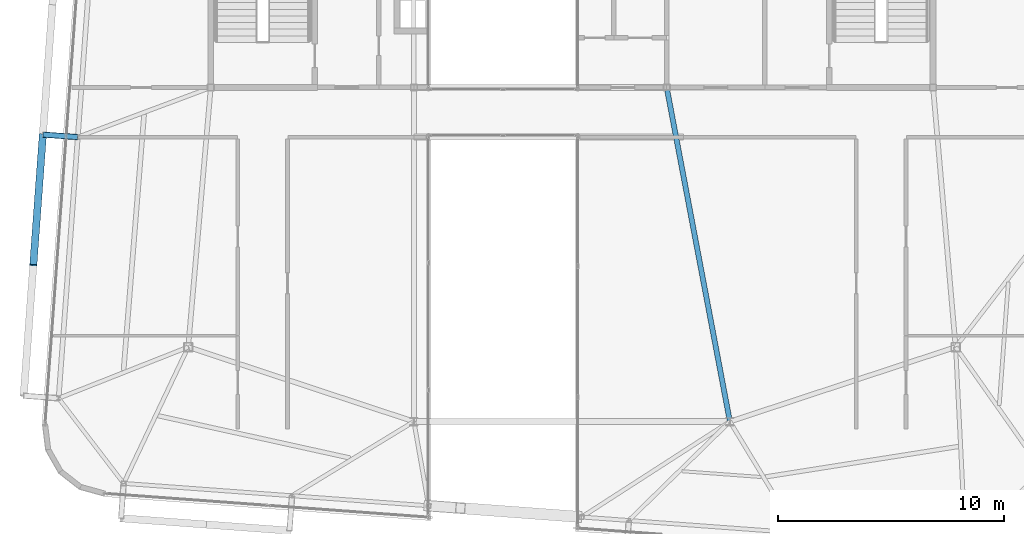
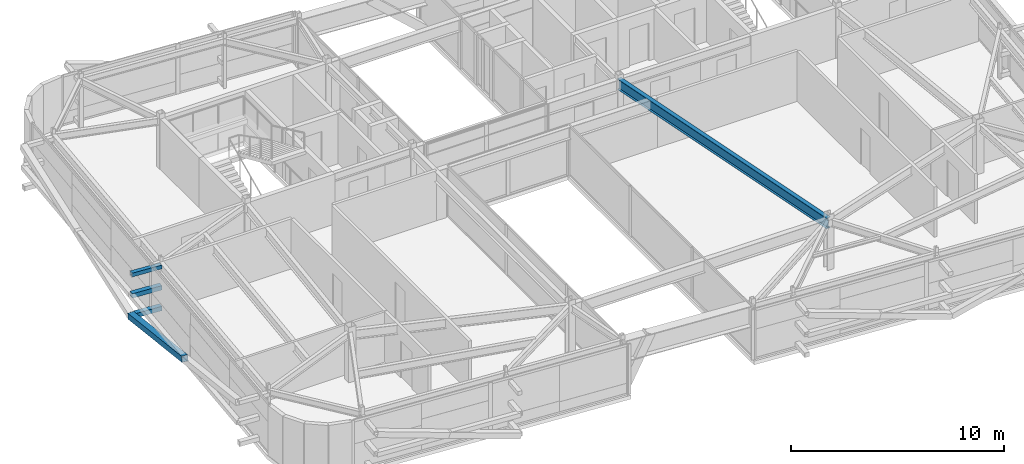
# One storey, part 14 of 40: 4 members, 1 beam.
"""IFC4 building model written with IfcOpenShell, lengths in metres."""

from ifc_helpers import new_model, si_unit, direction, frame, origin, origin_2d, place, context, subcontext, project, spatial, hollow_rectangle, i_section, extrude, source, transform, mapped, material, material_profile, profile_set, type_object, element, save


model = new_model("IFC4")

# Units and contexts
model_context = context("Model", 3, precision=1e-05, world=origin(), true_north=direction((0.0, 1.0)))
body_context = subcontext(model_context, "Body", "Model", "MODEL_VIEW")
ifc_project = project(units=[si_unit("LENGTHUNIT", "METRE"), si_unit("AREAUNIT", "SQUARE_METRE"), si_unit("VOLUMEUNIT", "CUBIC_METRE"), si_unit("PLANEANGLEUNIT", "RADIAN"), si_unit("MASSUNIT", "GRAM", prefix="KILO")], contexts=[model_context])

# Site, building, storey
site_placement = place(None, origin())
site = spatial("IfcSite", under=ifc_project, at=site_placement, CompositionType="ELEMENT")
building_placement = place(site_placement, origin())
building = spatial("IfcBuilding", under=site, at=building_placement, Name="Taldren Reach Tower", CompositionType="ELEMENT")
storey_placement = place(building_placement, frame((0.0, 0.0, 233.449951171875)))
storey = spatial("IfcBuildingStorey", under=building, at=storey_placement, Name="L71", CompositionType="ELEMENT", Elevation=233.449951171875)

# Beam
ifc_material_1 = material(Name="Steel Gr 350 (350PLUS)", Category="steel")
ifc_material_profile_1 = material_profile(ifc_material_1, i_section(OverallWidth=0.22802734375, OverallDepth=0.60205078125, WebThickness=0.010498046875, FlangeThickness=0.014892578125, at=origin_2d()), Name="610UB101")
ifc_profile_set_1 = profile_set([ifc_material_profile_1], Name="Steel Gr 350 (350PLUS)")
beam_type = type_object("IfcBeamType", Name="BM-UB610B", PredefinedType="BEAM", material=ifc_profile_set_1)
shared_shape_1 = source(origin(), body_context, "Body", "SweptSolid", [
    extrude(i_section(OverallWidth=0.22802734375, OverallDepth=0.60205078125, WebThickness=0.010498046875, FlangeThickness=0.014892578125, at=origin_2d()), origin(), (0.0, 0.0, 1.0), 15.0625),
])
beam_placement = place(storey_placement, frame((39.199951171875, 24.0, 2.569091796875), z_axis=(0.185894205668, -0.982569765614, 0.0), x_axis=(0.982569765614, 0.185894205668, 0.0)))
element("IfcBeam", 1, at=beam_placement, inside=storey, type_object=beam_type, Name="Core-spine girder L71-SP15", PredefinedType="BEAM", context=body_context, shape_type="MappedRepresentation", body=[
    mapped(shared_shape_1, transform((0.0, 0.0, 0.0), scale=1.0)),
])

# Members
ifc_material_2 = material(Name="Steel Gr 450 (C450L0)", Category="steel")
ifc_material_profile_2 = material_profile(ifc_material_2, hollow_rectangle(XDim=0.219970703125, YDim=0.219970703125, WallThickness=0.00830078125, at=origin_2d()), Name="220x220x8.2SHS")
ifc_profile_set_2 = profile_set([ifc_material_profile_2], Name="Steel Gr 450 (C450L0)")
member_type_1 = type_object("IfcMemberType", Name="MB-TIE219", PredefinedType="STRUT", material=ifc_profile_set_2)
shared_shape_2 = source(origin(), body_context, "Body", "SweptSolid", [
    extrude(hollow_rectangle(XDim=0.219970703125, YDim=0.219970703125, WallThickness=0.00830078125, at=origin_2d()), origin(), (0.0, 0.0, 1.0), 1.546142578125),
])
member_1_placement = place(storey_placement, frame((13.104736328125, 21.800537109375, 2.590087890625), z_axis=(-0.997312378271, 0.073266773831, 0.0), x_axis=(-0.073266773831, -0.997312378271, 0.0)))
element("IfcMember", 2, at=member_1_placement, inside=storey, type_object=member_type_1, Name="Exoskeleton diaphragm tie strut B5-W2 L71", PredefinedType="STRUT", context=body_context, shape_type="MappedRepresentation", body=[
    mapped(shared_shape_2, transform((0.0, 0.0, 0.0), scale=1.0)),
])
ifc_material_3 = material(Name="Steel Gr 350 (C350L0)", Category="steel")
ifc_material_profile_3 = material_profile(ifc_material_3, hollow_rectangle(XDim=0.25, YDim=0.25, WallThickness=0.010009765625, at=origin_2d()), Name="250x250x10.0SHS")
ifc_profile_set_3 = profile_set([ifc_material_profile_3], Name="Steel Gr 350 (C350L0)")
member_type_2 = type_object("IfcMemberType", Name="MB-POST250", PredefinedType="POST", material=ifc_profile_set_3)
shared_shape_3 = source(origin(), body_context, "Body", "SweptSolid", [
    extrude(hollow_rectangle(XDim=0.25, YDim=0.25, WallThickness=0.010009765625, at=origin_2d()), origin(), (0.0, 0.0, 1.0), 1.546142578125),
])
for number, where, z_axis, x_axis, name in (
    (3, (13.104736328125, 21.800537109375, 0.219970703125), (-0.997312378271, 0.073266773831, 0.0), (-0.073266773831, -0.997312378271, 0.0), "Exoskeleton base diaphragm tie strut B5-W2 L71"),
    (4, (13.104736328125, 21.800537109375, 1.405029296875), (-0.997312378271, 0.073266773831, 0.0), (-0.073266773831, -0.997312378271, 0.0), "Exoskeleton mid-tier diaphragm tie B5-W2 L71"),
):
    element("IfcMember", number, at=place(storey_placement, frame(where, z_axis=z_axis, x_axis=x_axis)), inside=storey, type_object=member_type_2, Name=name, PredefinedType="POST", context=body_context, shape_type="MappedRepresentation", body=[
        mapped(shared_shape_3, transform((0.0, 0.0, 0.0), scale=1.0)),
    ])
ifc_material_profile_4 = material_profile(ifc_material_2, hollow_rectangle(XDim=0.324951171875, YDim=0.324951171875, WallThickness=0.0126953125, at=origin_2d()), Name="325x325x12.7SHS")
ifc_profile_set_4 = profile_set([ifc_material_profile_4], Name="Steel Gr 450 (C450L0)")
member_type_3 = type_object("IfcMemberType", Name="MB-BR324", PredefinedType="BRACE", material=ifc_profile_set_4)
shared_shape_4 = source(origin(), body_context, "Body", "SweptSolid", [
    extrude(hollow_rectangle(XDim=0.324951171875, YDim=0.324951171875, WallThickness=0.0126953125, at=origin_2d()), origin(), (0.0, 0.0, 1.0), 5.919921875),
])
member_2_placement = place(storey_placement, frame((11.562744140625, 21.913818359375, 0.219970703125), z_axis=(-0.071759614668, -0.977126753058, 0.200184580228), x_axis=(0.997314185625, -0.073242167855, 0.0)))
element("IfcMember", 5, at=member_2_placement, inside=storey, type_object=member_type_3, Name="Exoskeleton Diagrid Brace B5-W1 L71", PredefinedType="BRACE", context=body_context, shape_type="MappedRepresentation", body=[
    mapped(shared_shape_4, transform((0.0, 0.0, 0.0), scale=1.0)),
])

save(model, "model.ifc")
